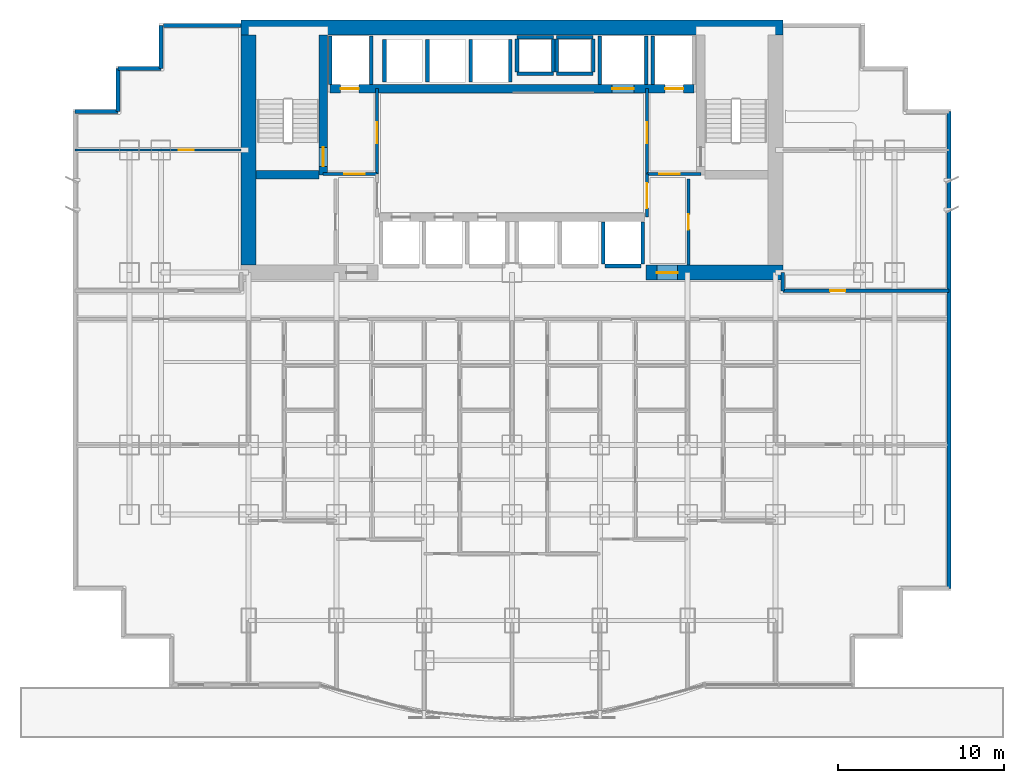
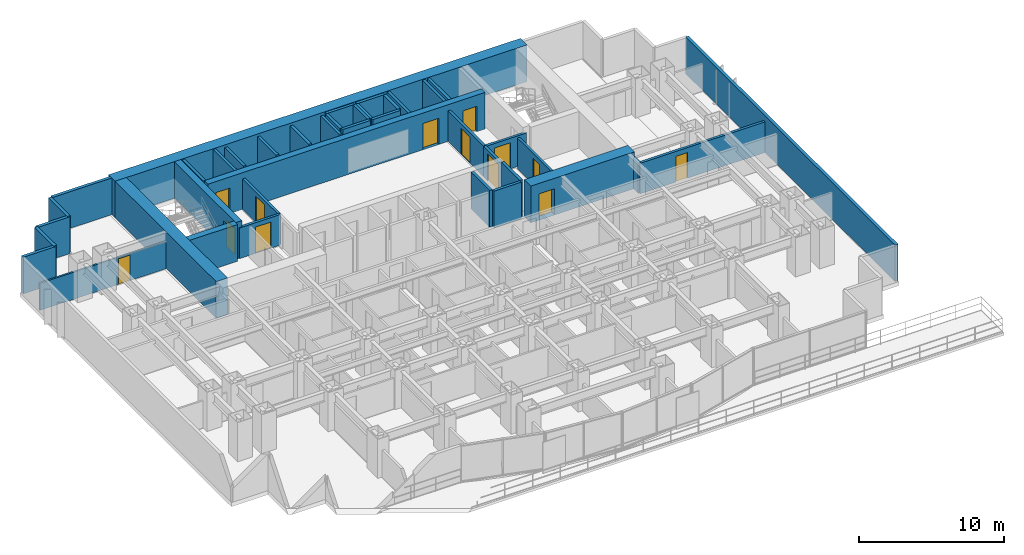
# One storey, part 7 of 11: 41 walls, 13 doors, 13 openings.
"""IFC4 building model written with IfcOpenShell, lengths in metres."""

from ifc_helpers import new_model, si_unit, direction, frame, frame_2d, origin, place, context, subcontext, project, spatial, rectangle, extrude, material, layer, layer_set, type_object, element, fill, save


model = new_model("IFC4")

# Units and contexts
model_context = context("Model", 3, precision=1e-05, world=origin(), true_north=direction((0.0, 1.0)))
body_context = subcontext(model_context, "Body", "Model", "MODEL_VIEW")
ifc_project = project(units=[si_unit("LENGTHUNIT", "METRE"), si_unit("AREAUNIT", "SQUARE_METRE"), si_unit("VOLUMEUNIT", "CUBIC_METRE"), si_unit("PLANEANGLEUNIT", "RADIAN"), si_unit("MASSUNIT", "GRAM", prefix="KILO")], contexts=[model_context])

# Site, building, storey
site_placement = place(None, origin())
site = spatial("IfcSite", under=ifc_project, at=site_placement, CompositionType="ELEMENT")
building_placement = place(site_placement, origin())
building = spatial("IfcBuilding", under=site, at=building_placement, Name="Qianlan Lanfeng Residences", CompositionType="ELEMENT")
storey_placement = place(building_placement, frame((0.0, 0.0, 24.199951171875)))
storey = spatial("IfcBuildingStorey", under=building, at=storey_placement, Name="L05", CompositionType="ELEMENT", Elevation=24.199951171875)

# Wall, opening, door
ifc_material_1 = material(Name="Concrete C70", Category="concrete")
ifc_layer_1 = layer(ifc_material_1, 0.5)
ifc_layer_set_1 = layer_set([ifc_layer_1], Name="Concrete C70")
wall_type_1 = type_object("IfcWallType", Name="CW-RC-500", PredefinedType="SHEAR", material=ifc_layer_set_1)
wall_1_placement = place(storey_placement, frame((15.10009765625, 31.10009765625, 0.0), z_axis=(0.0, 0.0, 1.0), x_axis=(0.0, 1.0, 0.0)))
wall_1 = element("IfcWall", 1, at=wall_1_placement, inside=storey, type_object=wall_type_1, Name="L05 Core Shear Wall ST1E", PredefinedType="SHEAR", context=body_context, shape_type="SweptSolid", body=[
    extrude(rectangle(XDim=8.449951171875, YDim=0.5, at=frame_2d((4.22509765625, 0.0))), origin(), (0.0, 0.0, 1.0), 3.080078125),
])
opening_1_placement = place(wall_1_placement, frame((0.510009765625, 0.0, 0.0)))
opening_1 = element("IfcOpeningElement", 2, at=opening_1_placement, cuts=wall_1, Name="Opening L05-D07", PredefinedType="OPENING", context=body_context, shape_type="SweptSolid", body=[
    extrude(rectangle(XDim=1.14990234375, YDim=2.199951171875, at=frame_2d((0.574951171875, 1.10009765625))), frame((0.0, 0.260009765625, 0.0), z_axis=(0.0, -1.0, 0.0), x_axis=(1.0, 0.0, 0.0)), (0.0, 0.0, 1.0), 0.52001953125),
])
ifc_material_2 = material(Name="Painted Galvanised Steel Fire Door", Category="steel")
door_type_1 = type_object("IfcDoorType", Name="DT-ST1", OperationType="NOTDEFINED", PredefinedType="DOOR", material=ifc_material_2)
door_1_placement = place(opening_1_placement, frame((1.14990234375, 0.0, 0.0), z_axis=(0.0, 0.0, 1.0), x_axis=(-1.0, 0.0, 0.0)))
door_1 = element("IfcDoor", 3, at=door_1_placement, inside=storey, type_object=door_type_1, Name="L05 Exit Stair ST-1 Door L05-D07 (DT-ST1)", OperationType="SINGLE_SWING_RIGHT", OverallHeight=2.199951171875, OverallWidth=1.14990234375, PredefinedType="DOOR", context=body_context, shape_type="SweptSolid", body=[
    extrude(rectangle(XDim=1.14990234375, YDim=2.199951171875, at=frame_2d((0.574951171875, 1.10009765625))), frame((0.0, 0.02490234375, 0.0), z_axis=(0.0, -1.0, 0.0), x_axis=(1.0, 0.0, 0.0)), (0.0, 0.0, 1.0), 0.050048828125),
])
fill(opening_1, door_1)

# Wall
wall_2_placement = place(storey_placement, frame((11.050048828125, 31.10009765625, 0.0), z_axis=(0.0, 0.0, 1.0), x_axis=(1.0, 0.0, 0.0)))
element("IfcWall", 4, at=wall_2_placement, inside=storey, type_object=wall_type_1, Name="L05 Core Shear Wall ST1S", PredefinedType="SHEAR", context=body_context, shape_type="SweptSolid", body=[
    extrude(rectangle(XDim=3.800048828125, YDim=0.5, at=frame_2d((1.89990234375, 0.0))), origin(), (0.0, 0.0, 1.0), 3.080078125),
])

# Wall, openings, doors
wall_3_placement = place(storey_placement, frame((15.5, 36.300048828125, 0.0), z_axis=(0.0, 0.0, 1.0), x_axis=(1.0, 0.0, 0.0)))
wall_3 = element("IfcWall", 5, at=wall_3_placement, inside=storey, type_object=wall_type_1, Name="L05 Core Shear Wall LBN", PredefinedType="SHEAR", context=body_context, shape_type="SweptSolid", body=[
    extrude(rectangle(XDim=22.0, YDim=0.5, at=frame_2d((11.0, 0.0))), origin(), (0.0, 0.0, 1.0), 3.080078125),
])
opening_2_placement = place(wall_3_placement, frame((0.64990234375, 0.0, 0.0)))
opening_2 = element("IfcOpeningElement", 6, at=opening_2_placement, cuts=wall_3, Name="Opening L05-LD-FFL-1", PredefinedType="OPENING", context=body_context, shape_type="SweptSolid", body=[
    extrude(rectangle(XDim=1.10009765625, YDim=2.14990234375, at=frame_2d((0.550048828125, 1.074951171875))), frame((0.0, 0.260009765625, 0.0), z_axis=(0.0, -1.0, 0.0), x_axis=(1.0, 0.0, 0.0)), (0.0, 0.0, 1.0), 0.52001953125),
])
opening_3_placement = place(wall_3_placement, frame((20.25, 0.0, 0.0)))
opening_3 = element("IfcOpeningElement", 7, at=opening_3_placement, cuts=wall_3, Name="Opening L05-LD-FFL-2", PredefinedType="OPENING", context=body_context, shape_type="SweptSolid", body=[
    extrude(rectangle(XDim=1.10009765625, YDim=2.14990234375, at=frame_2d((0.550048828125, 1.074951171875))), frame((0.0, 0.260009765625, 0.0), z_axis=(0.0, -1.0, 0.0), x_axis=(1.0, 0.0, 0.0)), (0.0, 0.0, 1.0), 0.52001953125),
])
opening_4_placement = place(wall_3_placement, frame((17.050048828125, 0.0, 0.0)))
opening_4 = element("IfcOpeningElement", 8, at=opening_4_placement, cuts=wall_3, Name="Opening L05-LD-SVL-1", PredefinedType="OPENING", context=body_context, shape_type="SweptSolid", body=[
    extrude(rectangle(XDim=1.300048828125, YDim=2.199951171875, at=frame_2d((0.64990234375, 1.10009765625))), frame((0.0, 0.260009765625, 0.0), z_axis=(0.0, -1.0, 0.0), x_axis=(1.0, 0.0, 0.0)), (0.0, 0.0, 1.0), 0.52001953125),
])
ifc_material_3 = material(Name="Brushed Stainless Steel Sliding Lift Door", Category="steel")
door_type_2 = type_object("IfcDoorType", Name="LD-01", OperationType="NOTDEFINED", PredefinedType="DOOR", material=ifc_material_3)
door_2_placement = place(opening_2_placement, frame((1.10009765625, 0.0, 0.0), z_axis=(0.0, 0.0, 1.0), x_axis=(-1.0, 0.0, 0.0)))
door_2 = element("IfcDoor", 9, at=door_2_placement, inside=storey, type_object=door_type_2, Name="L05 Elevator FFL-1 Sliding Landing Door", OperationType="DOUBLE_DOOR_SLIDING", OverallHeight=2.14990234375, OverallWidth=1.10009765625, PredefinedType="DOOR", context=body_context, shape_type="SweptSolid", body=[
    extrude(rectangle(XDim=1.10009765625, YDim=2.14990234375, at=frame_2d((0.550048828125, 1.074951171875))), frame((0.0, 0.02490234375, 0.0), z_axis=(0.0, -1.0, 0.0), x_axis=(1.0, 0.0, 0.0)), (0.0, 0.0, 1.0), 0.050048828125),
])
fill(opening_2, door_2)
door_3_placement = place(opening_3_placement, frame((1.10009765625, 0.0, 0.0), z_axis=(0.0, 0.0, 1.0), x_axis=(-1.0, 0.0, 0.0)))
door_3 = element("IfcDoor", 10, at=door_3_placement, inside=storey, type_object=door_type_2, Name="L05 Elevator FFL-2 Sliding Landing Door", OperationType="DOUBLE_DOOR_SLIDING", OverallHeight=2.14990234375, OverallWidth=1.10009765625, PredefinedType="DOOR", context=body_context, shape_type="SweptSolid", body=[
    extrude(rectangle(XDim=1.10009765625, YDim=2.14990234375, at=frame_2d((0.550048828125, 1.074951171875))), frame((0.0, 0.02490234375, 0.0), z_axis=(0.0, -1.0, 0.0), x_axis=(1.0, 0.0, 0.0)), (0.0, 0.0, 1.0), 0.050048828125),
])
fill(opening_3, door_3)
door_type_3 = type_object("IfcDoorType", Name="LD-02", OperationType="NOTDEFINED", PredefinedType="DOOR", material=ifc_material_3)
door_4_placement = place(opening_4_placement, frame((1.300048828125, 0.0, 0.0), z_axis=(0.0, 0.0, 1.0), x_axis=(-1.0, 0.0, 0.0)))
door_4 = element("IfcDoor", 11, at=door_4_placement, inside=storey, type_object=door_type_3, Name="L05 Elevator SVL-1 Sliding Landing Door", OperationType="DOUBLE_DOOR_SLIDING", OverallHeight=2.199951171875, OverallWidth=1.300048828125, PredefinedType="DOOR", context=body_context, shape_type="SweptSolid", body=[
    extrude(rectangle(XDim=1.300048828125, YDim=2.199951171875, at=frame_2d((0.64990234375, 1.10009765625))), frame((0.0, 0.02490234375, 0.0), z_axis=(0.0, -1.0, 0.0), x_axis=(1.0, 0.0, 0.0)), (0.0, 0.0, 1.0), 0.050048828125),
])
fill(opening_4, door_4)

# Walls
ifc_layer_2 = layer(ifc_material_1, 0.89990234375)
ifc_layer_set_2 = layer_set([ifc_layer_2], Name="Concrete C70")
wall_type_2 = type_object("IfcWallType", Name="CW-RC-900", PredefinedType="SHEAR", material=ifc_layer_set_2)
wall_4_placement = place(storey_placement, frame((10.14990234375, 40.0, 0.0), z_axis=(0.0, 0.0, 1.0), x_axis=(1.0, 0.0, 0.0)))
element("IfcWall", 12, at=wall_4_placement, inside=storey, type_object=wall_type_2, Name="L05 Core Shear Wall N", PredefinedType="SHEAR", context=body_context, shape_type="SweptSolid", body=[
    extrude(rectangle(XDim=32.7001953125, YDim=0.89990234375, at=frame_2d((16.35009765625, 0.0))), origin(), (0.0, 0.0, 1.0), 3.080078125),
])
wall_5_placement = place(storey_placement, frame((10.60009765625, 25.64990234375, 0.0), z_axis=(0.0, 0.0, 1.0), x_axis=(0.0, 1.0, 0.0)))
element("IfcWall", 13, at=wall_5_placement, inside=storey, type_object=wall_type_2, Name="L05 Core Shear Wall W", PredefinedType="SHEAR", context=body_context, shape_type="SweptSolid", body=[
    extrude(rectangle(XDim=13.900146484375, YDim=0.89990234375, at=frame_2d((6.9501953125, 0.0))), origin(), (0.0, 0.0, 1.0), 3.080078125),
])

# Wall, opening, door
wall_6_placement = place(storey_placement, frame((34.60009765625, 25.199951171875, 0.0), z_axis=(0.0, 0.0, 1.0), x_axis=(1.0, 0.0, 0.0)))
wall_6 = element("IfcWall", 14, at=wall_6_placement, inside=storey, type_object=wall_type_2, Name="L05 Core Shear Wall SE", PredefinedType="SHEAR", context=body_context, shape_type="SweptSolid", body=[
    extrude(rectangle(XDim=8.25, YDim=0.89990234375, at=frame_2d((4.125, 0.0))), origin(), (0.0, 0.0, 1.0), 3.080078125),
])
opening_5_placement = place(wall_6_placement, frame((0.64990234375, 0.0, 0.0)))
opening_5 = element("IfcOpeningElement", 15, at=opening_5_placement, cuts=wall_6, Name="Opening L05-D02", PredefinedType="OPENING", context=body_context, shape_type="SweptSolid", body=[
    extrude(rectangle(XDim=1.25, YDim=2.199951171875, at=frame_2d((0.625, 1.10009765625))), frame((0.0, 0.4599609375, 0.0), z_axis=(0.0, -1.0, 0.0), x_axis=(1.0, 0.0, 0.0)), (0.0, 0.0, 1.0), 0.919921875),
])
door_type_4 = type_object("IfcDoorType", Name="DT-FFL", OperationType="NOTDEFINED", PredefinedType="DOOR", material=ifc_material_2)
door_5_placement = place(opening_5_placement, frame((1.25, 0.0, 0.0), z_axis=(0.0, 0.0, 1.0), x_axis=(-1.0, 0.0, 0.0)))
door_5 = element("IfcDoor", 16, at=door_5_placement, inside=storey, type_object=door_type_4, Name="L05 East Core Lobby Smoke Door L05-D02 (DT-FFL)", OperationType="SINGLE_SWING_LEFT", OverallHeight=2.199951171875, OverallWidth=1.25, PredefinedType="DOOR", context=body_context, shape_type="SweptSolid", body=[
    extrude(rectangle(XDim=1.25, YDim=2.199951171875, at=frame_2d((0.625, 1.10009765625))), frame((0.0, 0.02490234375, 0.0), z_axis=(0.0, -1.0, 0.0), x_axis=(1.0, 0.0, 0.0)), (0.0, 0.0, 1.0), 0.050048828125),
])
fill(opening_5, door_5)

# Walls
ifc_material_4 = material(Name="Concrete C42", Category="concrete")
ifc_layer_3 = layer(ifc_material_4, 0.239990234375)
ifc_layer_set_3 = layer_set([ifc_layer_3], Name="Concrete C42")
wall_type_3 = type_object("IfcWallType", Name="EW-240", PredefinedType="SOLIDWALL", material=ifc_layer_set_3)
wall_7_placement = place(storey_placement, frame((52.8798828125, 6.1201171875, 0.0), z_axis=(0.0, 0.0, 1.0), x_axis=(0.0, 1.0, 0.0)))
element("IfcWall", 17, at=wall_7_placement, inside=storey, type_object=wall_type_3, Name="L05 Exterior Facade Spandrel Wall 10", PredefinedType="SOLIDWALL", context=body_context, shape_type="SweptSolid", body=[
    extrude(rectangle(XDim=28.809814453125, YDim=0.239990234375, at=frame_2d((14.40478515625, 0.0))), origin(), (0.0, 0.0, 1.0), 3.080078125),
])
wall_8_placement = place(storey_placement, frame((10.14990234375, 40.1298828125, 0.0), z_axis=(0.0, 0.0, 1.0), x_axis=(-1.0, 0.0, 0.0)))
element("IfcWall", 18, at=wall_8_placement, inside=storey, type_object=wall_type_3, Name="L05 North Wing Exterior Wall W", PredefinedType="SOLIDWALL", context=body_context, shape_type="SweptSolid", body=[
    extrude(rectangle(XDim=4.699951171875, YDim=0.239990234375, at=frame_2d((2.35009765625, 0.0))), origin(), (0.0, 0.0, 1.0), 3.080078125),
])
wall_9_placement = place(storey_placement, frame((5.320068359375, 40.1298828125, 0.0), z_axis=(0.0, 0.0, 1.0), x_axis=(0.0, -1.0, 0.0)))
element("IfcWall", 19, at=wall_9_placement, inside=storey, type_object=wall_type_3, Name="L05 Exterior Facade Spandrel Wall 17", PredefinedType="SOLIDWALL", context=body_context, shape_type="SweptSolid", body=[
    extrude(rectangle(XDim=2.599853515625, YDim=0.239990234375, at=frame_2d((1.2998046875, 0.0))), origin(), (0.0, 0.0, 1.0), 3.080078125),
])
for number, where, z_axis, x_axis, name in (
    (20, (5.320068359375, 37.530029296875, 0.0), (0.0, 0.0, 1.0), (-1.0, 0.0, 0.0), "L05 Exterior Facade Spandrel Wall 18"),
    (21, (2.719970703125, 37.530029296875, 0.0), (0.0, 0.0, 1.0), (0.0, -1.0, 0.0), "L05 Exterior Facade Spandrel Wall 19"),
):
    element("IfcWall", number, at=place(storey_placement, frame(where, z_axis=z_axis, x_axis=x_axis)), inside=storey, type_object=wall_type_3, Name=name, PredefinedType="SOLIDWALL", context=body_context, shape_type="SweptSolid", body=[
        extrude(rectangle(XDim=2.60009765625, YDim=0.239990234375, at=frame_2d((1.300048828125, 0.0))), origin(), (0.0, 0.0, 1.0), 3.080078125),
    ])
wall_10_placement = place(storey_placement, frame((2.719970703125, 34.929931640625, 0.0), z_axis=(0.0, 0.0, 1.0), x_axis=(-1.0, 0.0, 0.0)))
element("IfcWall", 22, at=wall_10_placement, inside=storey, type_object=wall_type_3, Name="L05 Exterior Facade Spandrel Wall 20", PredefinedType="SOLIDWALL", context=body_context, shape_type="SweptSolid", body=[
    extrude(rectangle(XDim=2.599853515625, YDim=0.239990234375, at=frame_2d((1.2998046875, 0.0))), origin(), (0.0, 0.0, 1.0), 3.080078125),
])

# Wall, opening, door
ifc_material_5 = material(Name="Moisture-Resistant Gypsum Partition 135 mm")
ifc_layer_4 = layer(ifc_material_5, 0.135009765625)
ifc_layer_set_4 = layer_set([ifc_layer_4], Name="Moisture-Resistant Gypsum Partition 135 mm")
wall_type_4 = type_object("IfcWallType", Name="PW-135", PredefinedType="PARTITIONING", material=ifc_layer_set_4)
wall_11_placement = place(storey_placement, frame((0.1201171875, 32.60009765625, 0.0), z_axis=(0.0, 0.0, 1.0), x_axis=(1.0, 0.0, 0.0)))
wall_11 = element("IfcWall", 23, at=wall_11_placement, inside=storey, type_object=wall_type_4, Name="L05 WW North Wing Wall", PredefinedType="PARTITIONING", context=body_context, shape_type="SweptSolid", body=[
    extrude(rectangle(XDim=10.02978515625, YDim=0.135009765625, at=frame_2d((5.014892578125, 0.0))), origin(), (0.0, 0.0, 1.0), 2.275146484375),
])
opening_6_placement = place(wall_11_placement, frame((6.2548828125, 0.0, 0.0)))
opening_6 = element("IfcOpeningElement", 24, at=opening_6_placement, cuts=wall_11, Name="Opening L05-D47", PredefinedType="OPENING", context=body_context, shape_type="SweptSolid", body=[
    extrude(rectangle(XDim=0.919921875, YDim=2.14990234375, at=frame_2d((0.4599609375, 1.074951171875))), frame((0.0, 0.07763671875, 0.0), z_axis=(0.0, -1.0, 0.0), x_axis=(1.0, 0.0, 0.0)), (0.0, 0.0, 1.0), 0.155029296875),
])
ifc_material_6 = material(Name="Glazed Timber Kitchen/Study Door", Category="wood")
door_type_5 = type_object("IfcDoorType", Name="DT-INT", OperationType="NOTDEFINED", PredefinedType="DOOR", material=ifc_material_6)
door_6_placement = place(opening_6_placement, origin())
door_6 = element("IfcDoor", 25, at=door_6_placement, inside=storey, type_object=door_type_5, Name="L05 WW Inner Salon Door L05-D47 (DT-INT)", OperationType="SINGLE_SWING_RIGHT", OverallHeight=2.14990234375, OverallWidth=0.919921875, PredefinedType="DOOR", context=body_context, shape_type="SweptSolid", body=[
    extrude(rectangle(XDim=0.919921875, YDim=2.14990234375, at=frame_2d((0.4599609375, 1.074951171875))), frame((0.0, 0.02490234375, 0.0), z_axis=(0.0, -1.0, 0.0), x_axis=(1.0, 0.0, 0.0)), (0.0, 0.0, 1.0), 0.050048828125),
])
fill(opening_6, door_6)

ifc_material_7 = material(Name="Double-Layer Acoustic Gypsum Stud Wall 180 mm")
ifc_layer_5 = layer(ifc_material_7, 0.179931640625)
ifc_layer_set_5 = layer_set([ifc_layer_5], Name="Double-Layer Acoustic Gypsum Stud Wall 180 mm")
wall_type_5 = type_object("IfcWallType", Name="PW-180", PredefinedType="PARTITIONING", material=ifc_layer_set_5)
wall_12_placement = place(storey_placement, frame((37.14990234375, 25.64990234375, 0.0), z_axis=(0.0, 0.0, 1.0), x_axis=(0.0, 1.0, 0.0)))
wall_12 = element("IfcWall", 26, at=wall_12_placement, inside=storey, type_object=wall_type_5, Name="L05 Core East Service Room Wall", PredefinedType="PARTITIONING", context=body_context, shape_type="SweptSolid", body=[
    extrude(rectangle(XDim=5.2001953125, YDim=0.179931640625, at=frame_2d((2.60009765625, 0.0))), origin(), (0.0, 0.0, 1.0), 2.570068359375),
])
opening_7_placement = place(wall_12_placement, frame((2.139892578125, 0.0, 0.0)))
opening_7 = element("IfcOpeningElement", 27, at=opening_7_placement, cuts=wall_12, Name="Opening L05-D10", PredefinedType="OPENING", context=body_context, shape_type="SweptSolid", body=[
    extrude(rectangle(XDim=0.919921875, YDim=2.14990234375, at=frame_2d((0.4599609375, 1.074951171875))), frame((0.0, 0.10009765625, 0.0), z_axis=(0.0, -1.0, 0.0), x_axis=(1.0, 0.0, 0.0)), (0.0, 0.0, 1.0), 0.199951171875),
])
door_7_placement = place(opening_7_placement, origin())
door_7 = element("IfcDoor", 28, at=door_7_placement, inside=storey, type_object=door_type_5, Name="L05 Refuse Recycling Door L05-D10 (DT-INT)", OperationType="SINGLE_SWING_LEFT", OverallHeight=2.14990234375, OverallWidth=0.919921875, PredefinedType="DOOR", context=body_context, shape_type="SweptSolid", body=[
    extrude(rectangle(XDim=0.919921875, YDim=2.14990234375, at=frame_2d((0.4599609375, 1.074951171875))), frame((0.0, 0.02490234375, 0.0), z_axis=(0.0, -1.0, 0.0), x_axis=(1.0, 0.0, 0.0)), (0.0, 0.0, 1.0), 0.050048828125),
])
fill(opening_7, door_7)

ifc_material_8 = material(Name="Autoclaved Aerated Concrete Blockwork 200 mm", Category="masonry")
ifc_layer_6 = layer(ifc_material_8, 0.199951171875)
ifc_layer_set_6 = layer_set([ifc_layer_6], Name="Autoclaved Aerated Concrete Blockwork 200 mm")
wall_type_6 = type_object("IfcWallType", Name="PW-200", PredefinedType="PARTITIONING", material=ifc_layer_set_6)
wall_13_placement = place(storey_placement, frame((15.10009765625, 31.14990234375, 0.0), z_axis=(0.0, 0.0, 1.0), x_axis=(1.0, 0.0, 0.0)))
wall_13 = element("IfcWall", 29, at=wall_13_placement, inside=storey, type_object=wall_type_6, Name="L05 Firefighting Lobby 1 South Wall", PredefinedType="PARTITIONING", context=body_context, shape_type="SweptSolid", body=[
    extrude(rectangle(XDim=3.25, YDim=0.199951171875, at=frame_2d((1.625, 0.0))), origin(), (0.0, 0.0, 1.0), 2.570068359375),
])
opening_8_placement = place(wall_13_placement, frame((1.27490234375, 0.0, 0.0)))
opening_8 = element("IfcOpeningElement", 30, at=opening_8_placement, cuts=wall_13, Name="Opening L05-D03", PredefinedType="OPENING", context=body_context, shape_type="SweptSolid", body=[
    extrude(rectangle(XDim=1.25, YDim=2.199951171875, at=frame_2d((0.625, 1.10009765625))), frame((0.0, 0.10986328125, 0.0), z_axis=(0.0, -1.0, 0.0), x_axis=(1.0, 0.0, 0.0)), (0.0, 0.0, 1.0), 0.219970703125),
])
door_8_placement = place(opening_8_placement, origin())
door_8 = element("IfcDoor", 31, at=door_8_placement, inside=storey, type_object=door_type_4, Name="L05 Firefighting Lobby 1 Entry Door L05-D03 (DT-FFL)", OperationType="SINGLE_SWING_LEFT", OverallHeight=2.199951171875, OverallWidth=1.25, PredefinedType="DOOR", context=body_context, shape_type="SweptSolid", body=[
    extrude(rectangle(XDim=1.25, YDim=2.199951171875, at=frame_2d((0.625, 1.10009765625))), frame((0.0, 0.02490234375, 0.0), z_axis=(0.0, -1.0, 0.0), x_axis=(1.0, 0.0, 0.0)), (0.0, 0.0, 1.0), 0.050048828125),
])
fill(opening_8, door_8)

wall_14_placement = place(storey_placement, frame((18.35009765625, 31.14990234375, 0.0), z_axis=(0.0, 0.0, 1.0), x_axis=(0.0, 1.0, 0.0)))
wall_14 = element("IfcWall", 32, at=wall_14_placement, inside=storey, type_object=wall_type_6, Name="L05 Firefighting Lobby 1 East Wall", PredefinedType="PARTITIONING", context=body_context, shape_type="SweptSolid", body=[
    extrude(rectangle(XDim=5.150146484375, YDim=0.199951171875, at=frame_2d((2.5751953125, 0.0))), origin(), (0.0, 0.0, 1.0), 2.570068359375),
])
opening_9_placement = place(wall_14_placement, frame((1.875, 0.0, 0.0)))
opening_9 = element("IfcOpeningElement", 33, at=opening_9_placement, cuts=wall_14, Name="Opening L05-D04", PredefinedType="OPENING", context=body_context, shape_type="SweptSolid", body=[
    extrude(rectangle(XDim=1.25, YDim=2.199951171875, at=frame_2d((0.625, 1.10009765625))), frame((0.0, 0.10986328125, 0.0), z_axis=(0.0, -1.0, 0.0), x_axis=(1.0, 0.0, 0.0)), (0.0, 0.0, 1.0), 0.219970703125),
])
door_9_placement = place(opening_9_placement, origin())
door_9 = element("IfcDoor", 34, at=door_9_placement, inside=storey, type_object=door_type_4, Name="L05 Firefighting Lobby 1 Lift Lobby Door L05-D04 (DT-FFL)", OperationType="SINGLE_SWING_LEFT", OverallHeight=2.199951171875, OverallWidth=1.25, PredefinedType="DOOR", context=body_context, shape_type="SweptSolid", body=[
    extrude(rectangle(XDim=1.25, YDim=2.199951171875, at=frame_2d((0.625, 1.10009765625))), frame((0.0, 0.02490234375, 0.0), z_axis=(0.0, -1.0, 0.0), x_axis=(1.0, 0.0, 0.0)), (0.0, 0.0, 1.0), 0.050048828125),
])
fill(opening_9, door_9)

wall_15_placement = place(storey_placement, frame((34.64990234375, 31.14990234375, 0.0), z_axis=(0.0, 0.0, 1.0), x_axis=(1.0, 0.0, 0.0)))
wall_15 = element("IfcWall", 35, at=wall_15_placement, inside=storey, type_object=wall_type_6, Name="L05 Firefighting Lobby 2 South Wall", PredefinedType="PARTITIONING", context=body_context, shape_type="SweptSolid", body=[
    extrude(rectangle(XDim=3.25, YDim=0.199951171875, at=frame_2d((1.625, 0.0))), origin(), (0.0, 0.0, 1.0), 2.570068359375),
])
opening_10_placement = place(wall_15_placement, frame((0.72509765625, 0.0, 0.0)))
opening_10 = element("IfcOpeningElement", 36, at=opening_10_placement, cuts=wall_15, Name="Opening L05-D05", PredefinedType="OPENING", context=body_context, shape_type="SweptSolid", body=[
    extrude(rectangle(XDim=1.25, YDim=2.199951171875, at=frame_2d((0.625, 1.10009765625))), frame((0.0, 0.10986328125, 0.0), z_axis=(0.0, -1.0, 0.0), x_axis=(1.0, 0.0, 0.0)), (0.0, 0.0, 1.0), 0.219970703125),
])
door_10_placement = place(opening_10_placement, origin())
door_10 = element("IfcDoor", 37, at=door_10_placement, inside=storey, type_object=door_type_4, Name="L05 Firefighting Lobby 2 Entry Door L05-D05 (DT-FFL)", OperationType="SINGLE_SWING_RIGHT", OverallHeight=2.199951171875, OverallWidth=1.25, PredefinedType="DOOR", context=body_context, shape_type="SweptSolid", body=[
    extrude(rectangle(XDim=1.25, YDim=2.199951171875, at=frame_2d((0.625, 1.10009765625))), frame((0.0, 0.02490234375, 0.0), z_axis=(0.0, -1.0, 0.0), x_axis=(1.0, 0.0, 0.0)), (0.0, 0.0, 1.0), 0.050048828125),
])
fill(opening_10, door_10)

wall_16_placement = place(storey_placement, frame((34.64990234375, 31.14990234375, 0.0), z_axis=(0.0, 0.0, 1.0), x_axis=(0.0, 1.0, 0.0)))
wall_16 = element("IfcWall", 38, at=wall_16_placement, inside=storey, type_object=wall_type_6, Name="L05 Firefighting Lobby 2 West Wall", PredefinedType="PARTITIONING", context=body_context, shape_type="SweptSolid", body=[
    extrude(rectangle(XDim=5.150146484375, YDim=0.199951171875, at=frame_2d((2.5751953125, 0.0))), origin(), (0.0, 0.0, 1.0), 2.570068359375),
])
opening_11_placement = place(wall_16_placement, frame((1.875, 0.0, 0.0)))
opening_11 = element("IfcOpeningElement", 39, at=opening_11_placement, cuts=wall_16, Name="Opening L05-D06", PredefinedType="OPENING", context=body_context, shape_type="SweptSolid", body=[
    extrude(rectangle(XDim=1.25, YDim=2.199951171875, at=frame_2d((0.625, 1.10009765625))), frame((0.0, 0.10986328125, 0.0), z_axis=(0.0, -1.0, 0.0), x_axis=(1.0, 0.0, 0.0)), (0.0, 0.0, 1.0), 0.219970703125),
])
door_11_placement = place(opening_11_placement, origin())
door_11 = element("IfcDoor", 40, at=door_11_placement, inside=storey, type_object=door_type_4, Name="L05 Firefighting Lobby 2 Lift Lobby Door L05-D06 (DT-FFL)", OperationType="SINGLE_SWING_LEFT", OverallHeight=2.199951171875, OverallWidth=1.25, PredefinedType="DOOR", context=body_context, shape_type="SweptSolid", body=[
    extrude(rectangle(XDim=1.25, YDim=2.199951171875, at=frame_2d((0.625, 1.10009765625))), frame((0.0, 0.02490234375, 0.0), z_axis=(0.0, -1.0, 0.0), x_axis=(1.0, 0.0, 0.0)), (0.0, 0.0, 1.0), 0.050048828125),
])
fill(opening_11, door_11)

wall_17_placement = place(storey_placement, frame((34.64990234375, 28.550048828125, 0.0), z_axis=(0.0, 0.0, 1.0), x_axis=(0.0, 1.0, 0.0)))
wall_17 = element("IfcWall", 41, at=wall_17_placement, inside=storey, type_object=wall_type_6, Name="L05 Lift Lobby East Connector Wall", PredefinedType="PARTITIONING", context=body_context, shape_type="SweptSolid", body=[
    extrude(rectangle(XDim=2.599853515625, YDim=0.199951171875, at=frame_2d((1.2998046875, 0.0))), origin(), (0.0, 0.0, 1.0), 2.570068359375),
])
opening_12_placement = place(wall_17_placement, frame((0.550048828125, 0.0, 0.0)))
opening_12 = element("IfcOpeningElement", 42, at=opening_12_placement, cuts=wall_17, Name="Opening L05-D12", PredefinedType="OPENING", context=body_context, shape_type="SweptSolid", body=[
    extrude(rectangle(XDim=1.5, YDim=2.25, at=frame_2d((0.75, 1.125))), frame((0.0, 0.10986328125, 0.0), z_axis=(0.0, -1.0, 0.0), x_axis=(1.0, 0.0, 0.0)), (0.0, 0.0, 1.0), 0.219970703125),
])
ifc_material_9 = material(Name="Timber Veneer Acoustic Fire Door", Category="wood")
door_type_6 = type_object("IfcDoorType", Name="DT-COR1", OperationType="NOTDEFINED", PredefinedType="DOOR", material=ifc_material_9)
door_12_placement = place(opening_12_placement, frame((1.5, 0.0, 0.0), z_axis=(0.0, 0.0, 1.0), x_axis=(-1.0, 0.0, 0.0)))
door_12 = element("IfcDoor", 43, at=door_12_placement, inside=storey, type_object=door_type_6, Name="L05 Lift Lobby East Portal Door L05-D12 (DT-COR1)", OperationType="DOUBLE_DOOR_SINGLE_SWING", OverallHeight=2.25, OverallWidth=1.5, PredefinedType="DOOR", context=body_context, shape_type="SweptSolid", body=[
    extrude(rectangle(XDim=1.5, YDim=2.25, at=frame_2d((0.75, 1.125))), frame((0.0, 0.02490234375, 0.0), z_axis=(0.0, -1.0, 0.0), x_axis=(1.0, 0.0, 0.0)), (0.0, 0.0, 1.0), 0.050048828125),
])
fill(opening_12, door_12)

wall_18_placement = place(storey_placement, frame((42.85009765625, 24.10009765625, 0.0), z_axis=(0.0, 0.0, 1.0), x_axis=(1.0, 0.0, 0.0)))
wall_18 = element("IfcWall", 44, at=wall_18_placement, inside=storey, type_object=wall_type_6, Name="L05 Corridor NE Wall", PredefinedType="PARTITIONING", context=body_context, shape_type="SweptSolid", body=[
    extrude(rectangle(XDim=10.02978515625, YDim=0.199951171875, at=frame_2d((5.014892578125, 0.0))), origin(), (0.0, 0.0, 1.0), 2.570068359375),
])
opening_13_placement = place(wall_18_placement, frame((2.85498046875, 0.0, 0.0)))
opening_13 = element("IfcOpeningElement", 45, at=opening_13_placement, cuts=wall_18, Name="Opening L05-D50", PredefinedType="OPENING", context=body_context, shape_type="SweptSolid", body=[
    extrude(rectangle(XDim=0.919921875, YDim=2.14990234375, at=frame_2d((0.4599609375, 1.074951171875))), frame((0.0, 0.10986328125, 0.0), z_axis=(0.0, -1.0, 0.0), x_axis=(1.0, 0.0, 0.0)), (0.0, 0.0, 1.0), 0.219970703125),
])
door_13_placement = place(opening_13_placement, origin())
door_13 = element("IfcDoor", 46, at=door_13_placement, inside=storey, type_object=door_type_5, Name="L05 EW Amenity Salon Door L05-D50 (DT-INT)", OperationType="SINGLE_SWING_LEFT", OverallHeight=2.14990234375, OverallWidth=0.919921875, PredefinedType="DOOR", context=body_context, shape_type="SweptSolid", body=[
    extrude(rectangle(XDim=0.919921875, YDim=2.14990234375, at=frame_2d((0.4599609375, 1.074951171875))), frame((0.0, 0.02490234375, 0.0), z_axis=(0.0, -1.0, 0.0), x_axis=(1.0, 0.0, 0.0)), (0.0, 0.0, 1.0), 0.050048828125),
])
fill(opening_13, door_13)

# Walls
wall_19_placement = place(storey_placement, frame((42.85009765625, 24.10009765625, 0.0), z_axis=(0.0, 0.0, 1.0), x_axis=(0.0, 1.0, 0.0)))
element("IfcWall", 47, at=wall_19_placement, inside=storey, type_object=wall_type_6, Name="L05 NE Wing Core Return Wall", PredefinedType="PARTITIONING", context=body_context, shape_type="SweptSolid", body=[
    extrude(rectangle(XDim=1.099853515625, YDim=0.199951171875, at=frame_2d((0.5498046875, 0.0))), origin(), (0.0, 0.0, 1.0), 2.570068359375),
])
ifc_material_10 = material(Name="Concrete C49", Category="concrete")
ifc_layer_7 = layer(ifc_material_10, 0.219970703125)
ifc_layer_set_7 = layer_set([ifc_layer_7], Name="Concrete C49")
wall_type_7 = type_object("IfcWallType", Name="SHW-220", PredefinedType="SOLIDWALL", material=ifc_layer_set_7)
for number, where, z_axis, x_axis, name in (
    (48, (15.52001953125, 36.550048828125, 0.0), (0.0, 0.0, 1.0), (0.0, 1.0, 0.0), "L05 Lift FFL-1 Shaft Wall W"),
    (49, (18.0, 36.550048828125, 0.0), (0.0, 0.0, 1.0), (0.0, 1.0, 0.0), "L05 Lift FFL-1 Shaft Wall E"),
    (50, (35.0, 36.550048828125, 0.0), (0.0, 0.0, 1.0), (0.0, 1.0, 0.0), "L05 Lift FFL-2 Shaft Wall W"),
    (51, (31.800048828125, 36.550048828125, 0.0), (0.0, 0.0, 1.0), (0.0, 1.0, 0.0), "L05 Lift SVL-1 Shaft Wall W"),
    (52, (34.60009765625, 36.550048828125, 0.0), (0.0, 0.0, 1.0), (0.0, 1.0, 0.0), "L05 Lift SVL-1 Shaft Wall E"),
):
    element("IfcWall", number, at=place(storey_placement, frame(where, z_axis=z_axis, x_axis=x_axis)), inside=storey, type_object=wall_type_7, Name=name, PredefinedType="SOLIDWALL", context=body_context, shape_type="SweptSolid", body=[
        extrude(rectangle(XDim=2.929931640625, YDim=0.219970703125, at=frame_2d((1.46484375, 0.0))), origin(), (0.0, 0.0, 1.0), 3.080078125),
    ])
for number, where, z_axis, x_axis, name in (
    (53, (32.0, 25.719970703125, 0.0), (0.0, 0.0, 1.0), (0.0, 1.0, 0.0), "L05 Lift PL-M3 Shaft Wall W"),
    (54, (34.39990234375, 25.719970703125, 0.0), (0.0, 0.0, 1.0), (0.0, 1.0, 0.0), "L05 Lift PL-M3 Shaft Wall E"),
):
    element("IfcWall", number, at=place(storey_placement, frame(where, z_axis=z_axis, x_axis=x_axis)), inside=storey, type_object=wall_type_7, Name=name, PredefinedType="SOLIDWALL", context=body_context, shape_type="SweptSolid", body=[
        extrude(rectangle(XDim=2.530029296875, YDim=0.219970703125, at=frame_2d((1.26513671875, 0.0))), origin(), (0.0, 0.0, 1.0), 3.080078125),
    ])
wall_20_placement = place(storey_placement, frame((32.1201171875, 25.60009765625, 0.0), z_axis=(0.0, 0.0, 1.0), x_axis=(1.0, 0.0, 0.0)))
element("IfcWall", 55, at=wall_20_placement, inside=storey, type_object=wall_type_7, Name="L05 Lift PL-M3 Shaft Back Wall S", PredefinedType="SOLIDWALL", context=body_context, shape_type="SweptSolid", body=[
    extrude(rectangle(XDim=2.159912109375, YDim=0.219970703125, at=frame_2d((1.080078125, 0.0))), origin(), (0.0, 0.0, 1.0), 3.080078125),
])
for number, where, z_axis, x_axis, name in (
    (56, (18.800048828125, 36.719970703125, 0.0), (0.0, 0.0, 1.0), (0.0, 1.0, 0.0), "L05 Lift PL-H1 Shaft Wall W"),
    (57, (21.39990234375, 36.719970703125, 0.0), (0.0, 0.0, 1.0), (0.0, 1.0, 0.0), "L05 Lift PL-H2 Shaft Wall W"),
    (58, (24.0, 36.719970703125, 0.0), (0.0, 0.0, 1.0), (0.0, 1.0, 0.0), "L05 Lift PL-H3 Shaft Wall W"),
    (59, (26.39990234375, 36.719970703125, 0.0), (0.0, 0.0, 1.0), (0.0, 1.0, 0.0), "L05 Lift PL-H3 Shaft Wall E"),
):
    element("IfcWall", number, at=place(storey_placement, frame(where, z_axis=z_axis, x_axis=x_axis)), inside=storey, type_object=wall_type_7, Name=name, PredefinedType="SOLIDWALL", context=body_context, shape_type="SweptSolid", body=[
        extrude(rectangle(XDim=2.56005859375, YDim=0.219970703125, at=frame_2d((1.280029296875, 0.0))), origin(), (0.0, 0.0, 1.0), 3.080078125),
    ])
for number, where, z_axis, x_axis, name in (
    (60, (26.800048828125, 37.31005859375, 0.0), (0.0, 0.0, 1.0), (0.0, 1.0, 0.0), "L05 MEP Riser MEP-R1 Shaft Wall W"),
    (61, (29.0, 37.31005859375, 0.0), (0.0, 0.0, 1.0), (0.0, 1.0, 0.0), "L05 MEP Riser MEP-R1 Shaft Wall E"),
):
    element("IfcWall", number, at=place(storey_placement, frame(where, z_axis=z_axis, x_axis=x_axis)), inside=storey, type_object=wall_type_7, Name=name, PredefinedType="SOLIDWALL", context=body_context, shape_type="SweptSolid", body=[
        extrude(rectangle(XDim=1.97998046875, YDim=0.219970703125, at=frame_2d((0.989990234375, 0.0))), origin(), (0.0, 0.0, 1.0), 3.080078125),
    ])
for number, where, z_axis, x_axis, name in (
    (62, (26.800048828125, 39.39990234375, 0.0), (0.0, 0.0, 1.0), (1.0, 0.0, 0.0), "L05 MEP Riser MEP-R1 Shaft Wall N"),
    (63, (26.800048828125, 37.199951171875, 0.0), (0.0, 0.0, 1.0), (1.0, 0.0, 0.0), "L05 MEP Riser MEP-R1 Shaft Wall S"),
):
    element("IfcWall", number, at=place(storey_placement, frame(where, z_axis=z_axis, x_axis=x_axis)), inside=storey, type_object=wall_type_7, Name=name, PredefinedType="SOLIDWALL", context=body_context, shape_type="SweptSolid", body=[
        extrude(rectangle(XDim=2.199951171875, YDim=0.219970703125, at=frame_2d((1.10009765625, 0.0))), origin(), (0.0, 0.0, 1.0), 3.080078125),
    ])
for number, where, z_axis, x_axis, name in (
    (64, (29.199951171875, 37.31005859375, 0.0), (0.0, 0.0, 1.0), (0.0, 1.0, 0.0), "L05 MEP Riser MEP-R2 Shaft Wall W"),
    (65, (31.39990234375, 37.31005859375, 0.0), (0.0, 0.0, 1.0), (0.0, 1.0, 0.0), "L05 MEP Riser MEP-R2 Shaft Wall E"),
):
    element("IfcWall", number, at=place(storey_placement, frame(where, z_axis=z_axis, x_axis=x_axis)), inside=storey, type_object=wall_type_7, Name=name, PredefinedType="SOLIDWALL", context=body_context, shape_type="SweptSolid", body=[
        extrude(rectangle(XDim=1.97998046875, YDim=0.219970703125, at=frame_2d((0.989990234375, 0.0))), origin(), (0.0, 0.0, 1.0), 3.080078125),
    ])
for number, where, z_axis, x_axis, name in (
    (66, (29.199951171875, 39.39990234375, 0.0), (0.0, 0.0, 1.0), (1.0, 0.0, 0.0), "L05 MEP Riser MEP-R2 Shaft Wall N"),
    (67, (29.199951171875, 37.199951171875, 0.0), (0.0, 0.0, 1.0), (1.0, 0.0, 0.0), "L05 MEP Riser MEP-R2 Shaft Wall S"),
):
    element("IfcWall", number, at=place(storey_placement, frame(where, z_axis=z_axis, x_axis=x_axis)), inside=storey, type_object=wall_type_7, Name=name, PredefinedType="SOLIDWALL", context=body_context, shape_type="SweptSolid", body=[
        extrude(rectangle(XDim=2.199951171875, YDim=0.219970703125, at=frame_2d((1.10009765625, 0.0))), origin(), (0.0, 0.0, 1.0), 3.080078125),
    ])

save(model, "model.ifc")
